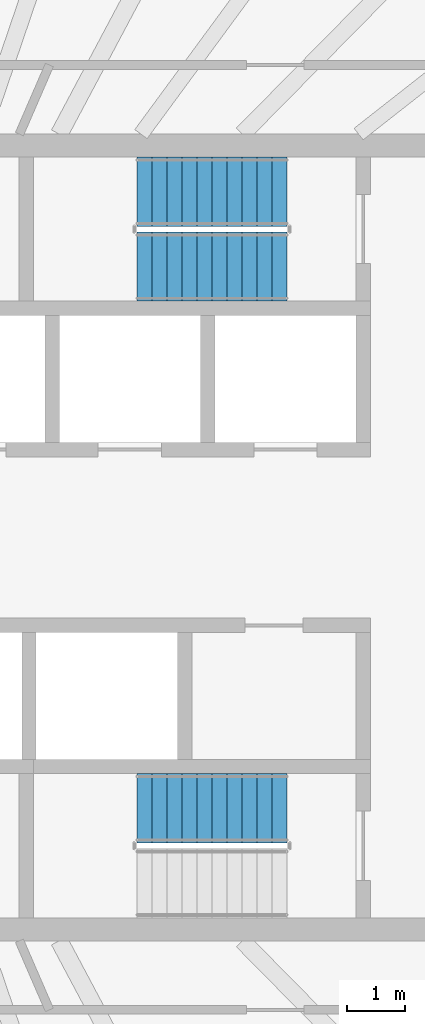
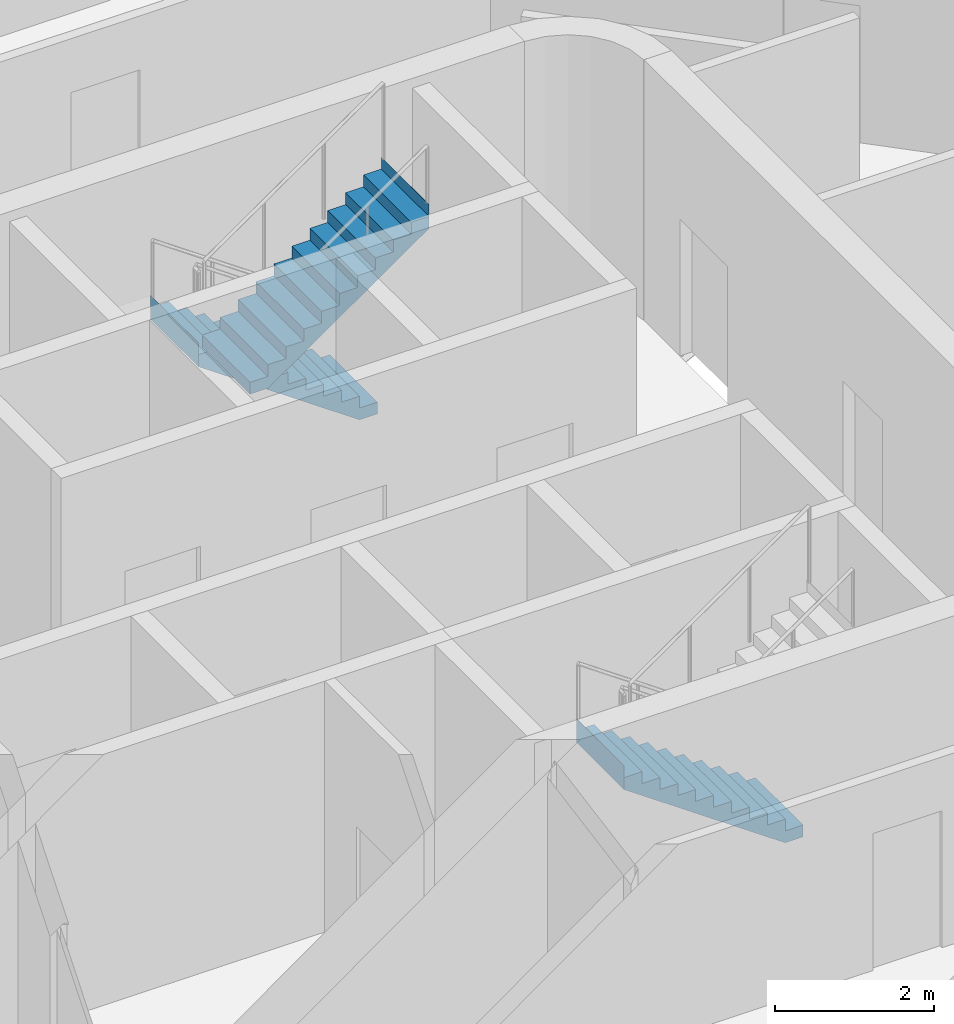
# One storey, part 13 of 18: 3 stair flights, 2 elements without a shape of their own.
"""IFC4 building model written with IfcOpenShell, lengths in metres."""

from ifc_helpers import new_model, si_unit, direction, frame, origin, place, context, subcontext, project, spatial, triangles, material, type_object, element, aggregate, save


model = new_model("IFC4")

# Units and contexts
model_context = context("Model", 3, precision=1e-05, world=origin(), true_north=direction((0.0, 1.0)))
body_context = subcontext(model_context, "Body", "Model", "MODEL_VIEW")
ifc_project = project(units=[si_unit("LENGTHUNIT", "METRE"), si_unit("AREAUNIT", "SQUARE_METRE"), si_unit("VOLUMEUNIT", "CUBIC_METRE"), si_unit("PLANEANGLEUNIT", "RADIAN"), si_unit("MASSUNIT", "GRAM", prefix="KILO")], contexts=[model_context])

# Site, building, storey
site_placement = place(None, origin())
site = spatial("IfcSite", under=ifc_project, at=site_placement, CompositionType="ELEMENT")
building_placement = place(site_placement, origin())
building = spatial("IfcBuilding", under=site, at=building_placement, Name="Sahrelin Media Tower", CompositionType="ELEMENT")
storey_placement = place(building_placement, frame((0.0, 0.0, 312.39990234375)))
storey = spatial("IfcBuildingStorey", under=building, at=storey_placement, Name="L69", CompositionType="ELEMENT", Elevation=312.39990234375)

# Stair, stair flights
ifc_material = material(Name="Concrete C40/50", Category="concrete")
stair_type = type_object("IfcStairType", Name="Exit stair 1200", PredefinedType="HALF_TURN_STAIR", material=ifc_material)
placement = place(storey_placement, origin())
stair_1 = element("IfcStair", 1, at=placement, inside=storey, type_object=stair_type, Name="L69 Exit stair ST3", PredefinedType="HALF_TURN_STAIR")
stair_flight_type = type_object("IfcStairFlightType", Name="Stair flight 1200", PredefinedType="STRAIGHT", material=ifc_material)
stair_flight_1_placement = place(storey_placement, frame((7.675048828125, 6.0, 0.0), z_axis=(0.0, 0.0, 1.0), x_axis=(-1.0, 0.0, 0.0)))
stair_flight_1 = element("IfcStairFlight", 2, at=stair_flight_1_placement, type_object=stair_flight_type, Name="ST3 flight 1", NumberOfRisers=11, NumberOfTreads=10, PredefinedType="STRAIGHT", RiserHeight=0.181818182, TreadLength=0.26, context=body_context, shape_type="Tessellation", body=[
    triangles([(0.261474609375, 0.60009765625, 0.0), (0.261474609375, 0.300048828125, 0.0), (0.261474609375, 0.0, 0.0), (0.261474609375, -0.300048828125, 0.0), (0.261474609375, -0.60009765625, 0.0), (2.60009765625, 0.60009765625, 1.63525390625), (2.60009765625, 0.300048828125, 1.63525390625), (2.60009765625, 0.0, 1.63525390625), (2.60009765625, -0.300048828125, 1.63525390625), (2.60009765625, -0.60009765625, 1.63525390625), (2.60009765625, 0.60009765625, 2.0), (2.60009765625, 0.300048828125, 2.0), (2.60009765625, 0.0, 2.0), (2.60009765625, -0.300048828125, 2.0), (2.60009765625, -0.60009765625, 2.0), (2.597900390625, 0.60009765625, 2.0), (2.597900390625, 0.300048828125, 2.0), (2.597900390625, 0.0, 2.0), (2.597900390625, -0.300048828125, 2.0), (2.597900390625, -0.60009765625, 2.0), (2.597900390625, 0.60009765625, 1.818115234375), (2.597900390625, 0.300048828125, 1.818115234375), (2.597900390625, 0.0, 1.818115234375), (2.597900390625, -0.300048828125, 1.818115234375), (2.597900390625, -0.60009765625, 1.818115234375), (2.340087890625, 0.60009765625, 1.818115234375), (2.340087890625, 0.300048828125, 1.818115234375), (2.340087890625, 0.0, 1.818115234375), (2.340087890625, -0.300048828125, 1.818115234375), (2.340087890625, -0.60009765625, 1.818115234375), (2.340087890625, 0.60009765625, 1.636474609375), (2.340087890625, 0.300048828125, 1.636474609375), (2.340087890625, 0.0, 1.636474609375), (2.340087890625, -0.300048828125, 1.636474609375), (2.340087890625, -0.60009765625, 1.636474609375), (2.080078125, 0.60009765625, 1.636474609375), (2.080078125, 0.300048828125, 1.636474609375), (2.080078125, 0.0, 1.636474609375), (2.080078125, -0.300048828125, 1.636474609375), (2.080078125, -0.60009765625, 1.636474609375), (2.080078125, 0.60009765625, 1.45458984375), (2.080078125, 0.300048828125, 1.45458984375), (2.080078125, 0.0, 1.45458984375), (2.080078125, -0.300048828125, 1.45458984375), (2.080078125, -0.60009765625, 1.45458984375), (1.820068359375, 0.60009765625, 1.45458984375), (1.820068359375, 0.300048828125, 1.45458984375), (1.820068359375, 0.0, 1.45458984375), (1.820068359375, -0.300048828125, 1.45458984375), (1.820068359375, -0.60009765625, 1.45458984375), (1.820068359375, 0.60009765625, 1.272705078125), (1.820068359375, 0.300048828125, 1.272705078125), (1.820068359375, 0.0, 1.272705078125), (1.820068359375, -0.300048828125, 1.272705078125), (1.820068359375, -0.60009765625, 1.272705078125), (1.56005859375, 0.60009765625, 1.272705078125), (1.56005859375, 0.300048828125, 1.272705078125), (1.56005859375, 0.0, 1.272705078125), (1.56005859375, -0.300048828125, 1.272705078125), (1.56005859375, -0.60009765625, 1.272705078125), (1.56005859375, 0.60009765625, 1.0908203125), (1.56005859375, 0.300048828125, 1.0908203125), (1.56005859375, 0.0, 1.0908203125), (1.56005859375, -0.300048828125, 1.0908203125), (1.56005859375, -0.60009765625, 1.0908203125), (1.300048828125, 0.60009765625, 1.0908203125), (1.300048828125, 0.300048828125, 1.0908203125), (1.300048828125, 0.0, 1.0908203125), (1.300048828125, -0.300048828125, 1.0908203125), (1.300048828125, -0.60009765625, 1.0908203125), (1.300048828125, 0.60009765625, 0.9091796875), (1.300048828125, 0.300048828125, 0.9091796875), (1.300048828125, 0.0, 0.9091796875), (1.300048828125, -0.300048828125, 0.9091796875), (1.300048828125, -0.60009765625, 0.9091796875), (1.0400390625, 0.60009765625, 0.9091796875), (1.0400390625, 0.300048828125, 0.9091796875), (1.0400390625, 0.0, 0.9091796875), (1.0400390625, -0.300048828125, 0.9091796875), (1.0400390625, -0.60009765625, 0.9091796875), (1.0400390625, 0.60009765625, 0.727294921875), (1.0400390625, 0.300048828125, 0.727294921875), (1.0400390625, 0.0, 0.727294921875), (1.0400390625, -0.300048828125, 0.727294921875), (1.0400390625, -0.60009765625, 0.727294921875), (0.780029296875, 0.60009765625, 0.727294921875), (0.780029296875, 0.300048828125, 0.727294921875), (0.780029296875, 0.0, 0.727294921875), (0.780029296875, -0.300048828125, 0.727294921875), (0.780029296875, -0.60009765625, 0.727294921875), (0.780029296875, 0.60009765625, 0.54541015625), (0.780029296875, 0.300048828125, 0.54541015625), (0.780029296875, 0.0, 0.54541015625), (0.780029296875, -0.300048828125, 0.54541015625), (0.780029296875, -0.60009765625, 0.54541015625), (0.52001953125, 0.60009765625, 0.54541015625), (0.52001953125, 0.300048828125, 0.54541015625), (0.52001953125, 0.0, 0.54541015625), (0.52001953125, -0.300048828125, 0.54541015625), (0.52001953125, -0.60009765625, 0.54541015625), (0.52001953125, 0.60009765625, 0.363525390625), (0.52001953125, 0.300048828125, 0.363525390625), (0.52001953125, 0.0, 0.363525390625), (0.52001953125, -0.300048828125, 0.363525390625), (0.52001953125, -0.60009765625, 0.363525390625), (0.260009765625, 0.60009765625, 0.363525390625), (0.260009765625, 0.300048828125, 0.363525390625), (0.260009765625, 0.0, 0.363525390625), (0.260009765625, -0.300048828125, 0.363525390625), (0.260009765625, -0.60009765625, 0.363525390625), (0.260009765625, 0.60009765625, 0.181884765625), (0.260009765625, 0.300048828125, 0.181884765625), (0.260009765625, 0.0, 0.181884765625), (0.260009765625, -0.300048828125, 0.181884765625), (0.260009765625, -0.60009765625, 0.181884765625), (0.0, 0.60009765625, 0.181884765625), (0.0, 0.300048828125, 0.181884765625), (0.0, 0.0, 0.181884765625), (0.0, -0.300048828125, 0.181884765625), (0.0, -0.60009765625, 0.181884765625), (0.0, 0.60009765625, 0.0), (0.0, 0.300048828125, 0.0), (0.0, 0.0, 0.0), (0.0, -0.300048828125, 0.0), (0.0, -0.60009765625, 0.0)], [[1, 6, 7], [1, 7, 2], [2, 7, 8], [2, 8, 3], [3, 8, 9], [3, 9, 4], [4, 9, 10], [4, 10, 5], [6, 11, 12], [6, 12, 7], [7, 12, 13], [7, 13, 8], [8, 13, 14], [8, 14, 9], [9, 14, 15], [9, 15, 10], [11, 16, 17], [11, 17, 12], [12, 17, 18], [12, 18, 13], [13, 18, 19], [13, 19, 14], [14, 19, 20], [14, 20, 15], [16, 21, 22], [16, 22, 17], [17, 22, 23], [17, 23, 18], [18, 23, 24], [18, 24, 19], [19, 24, 25], [19, 25, 20], [21, 26, 27], [21, 27, 22], [22, 27, 28], [22, 28, 23], [23, 28, 29], [23, 29, 24], [24, 29, 30], [24, 30, 25], [26, 31, 32], [26, 32, 27], [27, 32, 33], [27, 33, 28], [28, 33, 34], [28, 34, 29], [29, 34, 35], [29, 35, 30], [31, 36, 37], [31, 37, 32], [32, 37, 38], [32, 38, 33], [33, 38, 39], [33, 39, 34], [34, 39, 40], [34, 40, 35], [36, 41, 42], [36, 42, 37], [37, 42, 43], [37, 43, 38], [38, 43, 44], [38, 44, 39], [39, 44, 45], [39, 45, 40], [41, 46, 47], [41, 47, 42], [42, 47, 48], [42, 48, 43], [43, 48, 49], [43, 49, 44], [44, 49, 50], [44, 50, 45], [46, 51, 52], [46, 52, 47], [47, 52, 53], [47, 53, 48], [48, 53, 54], [48, 54, 49], [49, 54, 55], [49, 55, 50], [51, 56, 57], [51, 57, 52], [52, 57, 58], [52, 58, 53], [53, 58, 59], [53, 59, 54], [54, 59, 60], [54, 60, 55], [56, 61, 62], [56, 62, 57], [57, 62, 63], [57, 63, 58], [58, 63, 64], [58, 64, 59], [59, 64, 65], [59, 65, 60], [61, 66, 67], [61, 67, 62], [62, 67, 68], [62, 68, 63], [63, 68, 69], [63, 69, 64], [64, 69, 70], [64, 70, 65], [66, 71, 72], [66, 72, 67], [67, 72, 73], [67, 73, 68], [68, 73, 74], [68, 74, 69], [69, 74, 75], [69, 75, 70], [71, 76, 77], [71, 77, 72], [72, 77, 78], [72, 78, 73], [73, 78, 79], [73, 79, 74], [74, 79, 80], [74, 80, 75], [76, 81, 82], [76, 82, 77], [77, 82, 83], [77, 83, 78], [78, 83, 84], [78, 84, 79], [79, 84, 85], [79, 85, 80], [81, 86, 87], [81, 87, 82], [82, 87, 88], [82, 88, 83], [83, 88, 89], [83, 89, 84], [84, 89, 90], [84, 90, 85], [86, 91, 92], [86, 92, 87], [87, 92, 93], [87, 93, 88], [88, 93, 94], [88, 94, 89], [89, 94, 95], [89, 95, 90], [91, 96, 97], [91, 97, 92], [92, 97, 98], [92, 98, 93], [93, 98, 99], [93, 99, 94], [94, 99, 100], [94, 100, 95], [96, 101, 102], [96, 102, 97], [97, 102, 103], [97, 103, 98], [98, 103, 104], [98, 104, 99], [99, 104, 105], [99, 105, 100], [101, 106, 107], [101, 107, 102], [102, 107, 108], [102, 108, 103], [103, 108, 109], [103, 109, 104], [104, 109, 110], [104, 110, 105], [106, 111, 112], [106, 112, 107], [107, 112, 113], [107, 113, 108], [108, 113, 114], [108, 114, 109], [109, 114, 115], [109, 115, 110], [111, 116, 117], [111, 117, 112], [112, 117, 118], [112, 118, 113], [113, 118, 119], [113, 119, 114], [114, 119, 120], [114, 120, 115], [116, 121, 122], [116, 122, 117], [117, 122, 123], [117, 123, 118], [118, 123, 124], [118, 124, 119], [119, 124, 125], [119, 125, 120], [121, 1, 2], [121, 2, 122], [122, 2, 3], [122, 3, 123], [123, 3, 4], [123, 4, 124], [124, 4, 5], [124, 5, 125], [115, 120, 125], [111, 121, 116], [115, 105, 110], [111, 106, 101], [105, 95, 100], [101, 96, 91], [95, 85, 90], [91, 86, 81], [85, 75, 80], [81, 76, 71], [75, 65, 70], [71, 66, 61], [65, 55, 60], [61, 56, 51], [55, 45, 50], [51, 46, 41], [45, 35, 40], [41, 36, 31], [35, 25, 30], [31, 26, 21], [25, 15, 20], [21, 16, 11], [125, 5, 115], [121, 111, 1], [25, 10, 15], [21, 11, 6], [105, 115, 5], [101, 1, 111], [35, 10, 25], [31, 21, 6], [95, 105, 5], [91, 1, 101], [45, 10, 35], [41, 31, 6], [85, 95, 5], [81, 1, 91], [55, 10, 45], [51, 41, 6], [75, 85, 5], [71, 1, 81], [65, 10, 55], [61, 51, 6], [5, 10, 75], [1, 71, 6], [75, 10, 65], [71, 61, 6]], closed=True),
])
stair_flight_2_placement = place(storey_placement, frame((5.074951171875, 4.699951171875, 2.0), z_axis=(0.0, 0.0, 1.0), x_axis=(1.0, 0.0, 0.0)))
stair_flight_2 = element("IfcStairFlight", 3, at=stair_flight_2_placement, type_object=stair_flight_type, Name="ST3 flight 2", NumberOfRisers=11, NumberOfTreads=10, PredefinedType="STRAIGHT", RiserHeight=0.181818182, TreadLength=0.26, context=body_context, shape_type="Tessellation", body=[
    triangles([(0.261474609375, 0.60009765625, 0.0), (0.261474609375, 0.300048828125, 0.0), (0.261474609375, 0.0, 0.0), (0.261474609375, -0.300048828125, 0.0), (0.261474609375, -0.60009765625, 0.0), (2.60009765625, 0.60009765625, 1.63525390625), (2.60009765625, 0.300048828125, 1.63525390625), (2.60009765625, 0.0, 1.63525390625), (2.60009765625, -0.300048828125, 1.63525390625), (2.60009765625, -0.60009765625, 1.63525390625), (2.60009765625, 0.60009765625, 2.0), (2.60009765625, 0.300048828125, 2.0), (2.60009765625, 0.0, 2.0), (2.60009765625, -0.300048828125, 2.0), (2.60009765625, -0.60009765625, 2.0), (2.597900390625, 0.60009765625, 2.0), (2.597900390625, 0.300048828125, 2.0), (2.597900390625, 0.0, 2.0), (2.597900390625, -0.300048828125, 2.0), (2.597900390625, -0.60009765625, 2.0), (2.597900390625, 0.60009765625, 1.818115234375), (2.597900390625, 0.300048828125, 1.818115234375), (2.597900390625, 0.0, 1.818115234375), (2.597900390625, -0.300048828125, 1.818115234375), (2.597900390625, -0.60009765625, 1.818115234375), (2.340087890625, 0.60009765625, 1.818115234375), (2.340087890625, 0.300048828125, 1.818115234375), (2.340087890625, 0.0, 1.818115234375), (2.340087890625, -0.300048828125, 1.818115234375), (2.340087890625, -0.60009765625, 1.818115234375), (2.340087890625, 0.60009765625, 1.636474609375), (2.340087890625, 0.300048828125, 1.636474609375), (2.340087890625, 0.0, 1.636474609375), (2.340087890625, -0.300048828125, 1.636474609375), (2.340087890625, -0.60009765625, 1.636474609375), (2.080078125, 0.60009765625, 1.636474609375), (2.080078125, 0.300048828125, 1.636474609375), (2.080078125, 0.0, 1.636474609375), (2.080078125, -0.300048828125, 1.636474609375), (2.080078125, -0.60009765625, 1.636474609375), (2.080078125, 0.60009765625, 1.45458984375), (2.080078125, 0.300048828125, 1.45458984375), (2.080078125, 0.0, 1.45458984375), (2.080078125, -0.300048828125, 1.45458984375), (2.080078125, -0.60009765625, 1.45458984375), (1.820068359375, 0.60009765625, 1.45458984375), (1.820068359375, 0.300048828125, 1.45458984375), (1.820068359375, 0.0, 1.45458984375), (1.820068359375, -0.300048828125, 1.45458984375), (1.820068359375, -0.60009765625, 1.45458984375), (1.820068359375, 0.60009765625, 1.272705078125), (1.820068359375, 0.300048828125, 1.272705078125), (1.820068359375, 0.0, 1.272705078125), (1.820068359375, -0.300048828125, 1.272705078125), (1.820068359375, -0.60009765625, 1.272705078125), (1.56005859375, 0.60009765625, 1.272705078125), (1.56005859375, 0.300048828125, 1.272705078125), (1.56005859375, 0.0, 1.272705078125), (1.56005859375, -0.300048828125, 1.272705078125), (1.56005859375, -0.60009765625, 1.272705078125), (1.56005859375, 0.60009765625, 1.0908203125), (1.56005859375, 0.300048828125, 1.0908203125), (1.56005859375, 0.0, 1.0908203125), (1.56005859375, -0.300048828125, 1.0908203125), (1.56005859375, -0.60009765625, 1.0908203125), (1.300048828125, 0.60009765625, 1.0908203125), (1.300048828125, 0.300048828125, 1.0908203125), (1.300048828125, 0.0, 1.0908203125), (1.300048828125, -0.300048828125, 1.0908203125), (1.300048828125, -0.60009765625, 1.0908203125), (1.300048828125, 0.60009765625, 0.9091796875), (1.300048828125, 0.300048828125, 0.9091796875), (1.300048828125, 0.0, 0.9091796875), (1.300048828125, -0.300048828125, 0.9091796875), (1.300048828125, -0.60009765625, 0.9091796875), (1.0400390625, 0.60009765625, 0.9091796875), (1.0400390625, 0.300048828125, 0.9091796875), (1.0400390625, 0.0, 0.9091796875), (1.0400390625, -0.300048828125, 0.9091796875), (1.0400390625, -0.60009765625, 0.9091796875), (1.0400390625, 0.60009765625, 0.727294921875), (1.0400390625, 0.300048828125, 0.727294921875), (1.0400390625, 0.0, 0.727294921875), (1.0400390625, -0.300048828125, 0.727294921875), (1.0400390625, -0.60009765625, 0.727294921875), (0.780029296875, 0.60009765625, 0.727294921875), (0.780029296875, 0.300048828125, 0.727294921875), (0.780029296875, 0.0, 0.727294921875), (0.780029296875, -0.300048828125, 0.727294921875), (0.780029296875, -0.60009765625, 0.727294921875), (0.780029296875, 0.60009765625, 0.54541015625), (0.780029296875, 0.300048828125, 0.54541015625), (0.780029296875, 0.0, 0.54541015625), (0.780029296875, -0.300048828125, 0.54541015625), (0.780029296875, -0.60009765625, 0.54541015625), (0.52001953125, 0.60009765625, 0.54541015625), (0.52001953125, 0.300048828125, 0.54541015625), (0.52001953125, 0.0, 0.54541015625), (0.52001953125, -0.300048828125, 0.54541015625), (0.52001953125, -0.60009765625, 0.54541015625), (0.52001953125, 0.60009765625, 0.363525390625), (0.52001953125, 0.300048828125, 0.363525390625), (0.52001953125, 0.0, 0.363525390625), (0.52001953125, -0.300048828125, 0.363525390625), (0.52001953125, -0.60009765625, 0.363525390625), (0.260009765625, 0.60009765625, 0.363525390625), (0.260009765625, 0.300048828125, 0.363525390625), (0.260009765625, 0.0, 0.363525390625), (0.260009765625, -0.300048828125, 0.363525390625), (0.260009765625, -0.60009765625, 0.363525390625), (0.260009765625, 0.60009765625, 0.181884765625), (0.260009765625, 0.300048828125, 0.181884765625), (0.260009765625, 0.0, 0.181884765625), (0.260009765625, -0.300048828125, 0.181884765625), (0.260009765625, -0.60009765625, 0.181884765625), (0.0, 0.60009765625, 0.181884765625), (0.0, 0.300048828125, 0.181884765625), (0.0, 0.0, 0.181884765625), (0.0, -0.300048828125, 0.181884765625), (0.0, -0.60009765625, 0.181884765625), (0.0, 0.60009765625, 0.0), (0.0, 0.300048828125, 0.0), (0.0, 0.0, 0.0), (0.0, -0.300048828125, 0.0), (0.0, -0.60009765625, 0.0)], [[1, 6, 7], [1, 7, 2], [2, 7, 8], [2, 8, 3], [3, 8, 9], [3, 9, 4], [4, 9, 10], [4, 10, 5], [6, 11, 12], [6, 12, 7], [7, 12, 13], [7, 13, 8], [8, 13, 14], [8, 14, 9], [9, 14, 15], [9, 15, 10], [11, 16, 17], [11, 17, 12], [12, 17, 18], [12, 18, 13], [13, 18, 19], [13, 19, 14], [14, 19, 20], [14, 20, 15], [16, 21, 22], [16, 22, 17], [17, 22, 23], [17, 23, 18], [18, 23, 24], [18, 24, 19], [19, 24, 25], [19, 25, 20], [21, 26, 27], [21, 27, 22], [22, 27, 28], [22, 28, 23], [23, 28, 29], [23, 29, 24], [24, 29, 30], [24, 30, 25], [26, 31, 32], [26, 32, 27], [27, 32, 33], [27, 33, 28], [28, 33, 34], [28, 34, 29], [29, 34, 35], [29, 35, 30], [31, 36, 37], [31, 37, 32], [32, 37, 38], [32, 38, 33], [33, 38, 39], [33, 39, 34], [34, 39, 40], [34, 40, 35], [36, 41, 42], [36, 42, 37], [37, 42, 43], [37, 43, 38], [38, 43, 44], [38, 44, 39], [39, 44, 45], [39, 45, 40], [41, 46, 47], [41, 47, 42], [42, 47, 48], [42, 48, 43], [43, 48, 49], [43, 49, 44], [44, 49, 50], [44, 50, 45], [46, 51, 52], [46, 52, 47], [47, 52, 53], [47, 53, 48], [48, 53, 54], [48, 54, 49], [49, 54, 55], [49, 55, 50], [51, 56, 57], [51, 57, 52], [52, 57, 58], [52, 58, 53], [53, 58, 59], [53, 59, 54], [54, 59, 60], [54, 60, 55], [56, 61, 62], [56, 62, 57], [57, 62, 63], [57, 63, 58], [58, 63, 64], [58, 64, 59], [59, 64, 65], [59, 65, 60], [61, 66, 67], [61, 67, 62], [62, 67, 68], [62, 68, 63], [63, 68, 69], [63, 69, 64], [64, 69, 70], [64, 70, 65], [66, 71, 72], [66, 72, 67], [67, 72, 73], [67, 73, 68], [68, 73, 74], [68, 74, 69], [69, 74, 75], [69, 75, 70], [71, 76, 77], [71, 77, 72], [72, 77, 78], [72, 78, 73], [73, 78, 79], [73, 79, 74], [74, 79, 80], [74, 80, 75], [76, 81, 82], [76, 82, 77], [77, 82, 83], [77, 83, 78], [78, 83, 84], [78, 84, 79], [79, 84, 85], [79, 85, 80], [81, 86, 87], [81, 87, 82], [82, 87, 88], [82, 88, 83], [83, 88, 89], [83, 89, 84], [84, 89, 90], [84, 90, 85], [86, 91, 92], [86, 92, 87], [87, 92, 93], [87, 93, 88], [88, 93, 94], [88, 94, 89], [89, 94, 95], [89, 95, 90], [91, 96, 97], [91, 97, 92], [92, 97, 98], [92, 98, 93], [93, 98, 99], [93, 99, 94], [94, 99, 100], [94, 100, 95], [96, 101, 102], [96, 102, 97], [97, 102, 103], [97, 103, 98], [98, 103, 104], [98, 104, 99], [99, 104, 105], [99, 105, 100], [101, 106, 107], [101, 107, 102], [102, 107, 108], [102, 108, 103], [103, 108, 109], [103, 109, 104], [104, 109, 110], [104, 110, 105], [106, 111, 112], [106, 112, 107], [107, 112, 113], [107, 113, 108], [108, 113, 114], [108, 114, 109], [109, 114, 115], [109, 115, 110], [111, 116, 117], [111, 117, 112], [112, 117, 118], [112, 118, 113], [113, 118, 119], [113, 119, 114], [114, 119, 120], [114, 120, 115], [116, 121, 122], [116, 122, 117], [117, 122, 123], [117, 123, 118], [118, 123, 124], [118, 124, 119], [119, 124, 125], [119, 125, 120], [121, 1, 2], [121, 2, 122], [122, 2, 3], [122, 3, 123], [123, 3, 4], [123, 4, 124], [124, 4, 5], [124, 5, 125], [115, 120, 125], [111, 121, 116], [115, 105, 110], [111, 106, 101], [105, 95, 100], [101, 96, 91], [95, 85, 90], [91, 86, 81], [85, 75, 80], [81, 76, 71], [75, 65, 70], [71, 66, 61], [65, 55, 60], [61, 56, 51], [55, 45, 50], [51, 46, 41], [45, 35, 40], [41, 36, 31], [35, 25, 30], [31, 26, 21], [25, 15, 20], [21, 16, 11], [125, 5, 115], [121, 111, 1], [25, 10, 15], [21, 11, 6], [105, 115, 5], [101, 1, 111], [35, 10, 25], [31, 21, 6], [95, 105, 5], [91, 1, 101], [45, 10, 35], [41, 31, 6], [85, 95, 5], [81, 1, 91], [55, 10, 45], [51, 41, 6], [75, 85, 5], [71, 1, 81], [65, 10, 55], [61, 51, 6], [5, 10, 75], [1, 71, 6], [75, 10, 65], [71, 61, 6]], closed=True),
])
aggregate(stair_1, [stair_flight_1, stair_flight_2])

# Stair, stair flight
stair_2 = element("IfcStair", 4, at=placement, inside=storey, type_object=stair_type, Name="L69 Exit stair ST2", PredefinedType="HALF_TURN_STAIR")
stair_flight_3_placement = place(storey_placement, frame((7.675048828125, -4.699951171875, 0.0), z_axis=(0.0, 0.0, 1.0), x_axis=(-1.0, 0.0, 0.0)))
stair_flight_3 = element("IfcStairFlight", 5, at=stair_flight_3_placement, type_object=stair_flight_type, Name="ST2 flight 1", NumberOfRisers=11, NumberOfTreads=10, PredefinedType="STRAIGHT", RiserHeight=0.181818182, TreadLength=0.26, context=body_context, shape_type="Tessellation", body=[
    triangles([(0.261474609375, 0.60009765625, 0.0), (0.261474609375, 0.300048828125, 0.0), (0.261474609375, 0.0, 0.0), (0.261474609375, -0.300048828125, 0.0), (0.261474609375, -0.60009765625, 0.0), (2.60009765625, 0.60009765625, 1.63525390625), (2.60009765625, 0.300048828125, 1.63525390625), (2.60009765625, 0.0, 1.63525390625), (2.60009765625, -0.300048828125, 1.63525390625), (2.60009765625, -0.60009765625, 1.63525390625), (2.60009765625, 0.60009765625, 2.0), (2.60009765625, 0.300048828125, 2.0), (2.60009765625, 0.0, 2.0), (2.60009765625, -0.300048828125, 2.0), (2.60009765625, -0.60009765625, 2.0), (2.597900390625, 0.60009765625, 2.0), (2.597900390625, 0.300048828125, 2.0), (2.597900390625, 0.0, 2.0), (2.597900390625, -0.300048828125, 2.0), (2.597900390625, -0.60009765625, 2.0), (2.597900390625, 0.60009765625, 1.818115234375), (2.597900390625, 0.300048828125, 1.818115234375), (2.597900390625, 0.0, 1.818115234375), (2.597900390625, -0.300048828125, 1.818115234375), (2.597900390625, -0.60009765625, 1.818115234375), (2.340087890625, 0.60009765625, 1.818115234375), (2.340087890625, 0.300048828125, 1.818115234375), (2.340087890625, 0.0, 1.818115234375), (2.340087890625, -0.300048828125, 1.818115234375), (2.340087890625, -0.60009765625, 1.818115234375), (2.340087890625, 0.60009765625, 1.636474609375), (2.340087890625, 0.300048828125, 1.636474609375), (2.340087890625, 0.0, 1.636474609375), (2.340087890625, -0.300048828125, 1.636474609375), (2.340087890625, -0.60009765625, 1.636474609375), (2.080078125, 0.60009765625, 1.636474609375), (2.080078125, 0.300048828125, 1.636474609375), (2.080078125, 0.0, 1.636474609375), (2.080078125, -0.300048828125, 1.636474609375), (2.080078125, -0.60009765625, 1.636474609375), (2.080078125, 0.60009765625, 1.45458984375), (2.080078125, 0.300048828125, 1.45458984375), (2.080078125, 0.0, 1.45458984375), (2.080078125, -0.300048828125, 1.45458984375), (2.080078125, -0.60009765625, 1.45458984375), (1.820068359375, 0.60009765625, 1.45458984375), (1.820068359375, 0.300048828125, 1.45458984375), (1.820068359375, 0.0, 1.45458984375), (1.820068359375, -0.300048828125, 1.45458984375), (1.820068359375, -0.60009765625, 1.45458984375), (1.820068359375, 0.60009765625, 1.272705078125), (1.820068359375, 0.300048828125, 1.272705078125), (1.820068359375, 0.0, 1.272705078125), (1.820068359375, -0.300048828125, 1.272705078125), (1.820068359375, -0.60009765625, 1.272705078125), (1.56005859375, 0.60009765625, 1.272705078125), (1.56005859375, 0.300048828125, 1.272705078125), (1.56005859375, 0.0, 1.272705078125), (1.56005859375, -0.300048828125, 1.272705078125), (1.56005859375, -0.60009765625, 1.272705078125), (1.56005859375, 0.60009765625, 1.0908203125), (1.56005859375, 0.300048828125, 1.0908203125), (1.56005859375, 0.0, 1.0908203125), (1.56005859375, -0.300048828125, 1.0908203125), (1.56005859375, -0.60009765625, 1.0908203125), (1.300048828125, 0.60009765625, 1.0908203125), (1.300048828125, 0.300048828125, 1.0908203125), (1.300048828125, 0.0, 1.0908203125), (1.300048828125, -0.300048828125, 1.0908203125), (1.300048828125, -0.60009765625, 1.0908203125), (1.300048828125, 0.60009765625, 0.9091796875), (1.300048828125, 0.300048828125, 0.9091796875), (1.300048828125, 0.0, 0.9091796875), (1.300048828125, -0.300048828125, 0.9091796875), (1.300048828125, -0.60009765625, 0.9091796875), (1.0400390625, 0.60009765625, 0.9091796875), (1.0400390625, 0.300048828125, 0.9091796875), (1.0400390625, 0.0, 0.9091796875), (1.0400390625, -0.300048828125, 0.9091796875), (1.0400390625, -0.60009765625, 0.9091796875), (1.0400390625, 0.60009765625, 0.727294921875), (1.0400390625, 0.300048828125, 0.727294921875), (1.0400390625, 0.0, 0.727294921875), (1.0400390625, -0.300048828125, 0.727294921875), (1.0400390625, -0.60009765625, 0.727294921875), (0.780029296875, 0.60009765625, 0.727294921875), (0.780029296875, 0.300048828125, 0.727294921875), (0.780029296875, 0.0, 0.727294921875), (0.780029296875, -0.300048828125, 0.727294921875), (0.780029296875, -0.60009765625, 0.727294921875), (0.780029296875, 0.60009765625, 0.54541015625), (0.780029296875, 0.300048828125, 0.54541015625), (0.780029296875, 0.0, 0.54541015625), (0.780029296875, -0.300048828125, 0.54541015625), (0.780029296875, -0.60009765625, 0.54541015625), (0.52001953125, 0.60009765625, 0.54541015625), (0.52001953125, 0.300048828125, 0.54541015625), (0.52001953125, 0.0, 0.54541015625), (0.52001953125, -0.300048828125, 0.54541015625), (0.52001953125, -0.60009765625, 0.54541015625), (0.52001953125, 0.60009765625, 0.363525390625), (0.52001953125, 0.300048828125, 0.363525390625), (0.52001953125, 0.0, 0.363525390625), (0.52001953125, -0.300048828125, 0.363525390625), (0.52001953125, -0.60009765625, 0.363525390625), (0.260009765625, 0.60009765625, 0.363525390625), (0.260009765625, 0.300048828125, 0.363525390625), (0.260009765625, 0.0, 0.363525390625), (0.260009765625, -0.300048828125, 0.363525390625), (0.260009765625, -0.60009765625, 0.363525390625), (0.260009765625, 0.60009765625, 0.181884765625), (0.260009765625, 0.300048828125, 0.181884765625), (0.260009765625, 0.0, 0.181884765625), (0.260009765625, -0.300048828125, 0.181884765625), (0.260009765625, -0.60009765625, 0.181884765625), (0.0, 0.60009765625, 0.181884765625), (0.0, 0.300048828125, 0.181884765625), (0.0, 0.0, 0.181884765625), (0.0, -0.300048828125, 0.181884765625), (0.0, -0.60009765625, 0.181884765625), (0.0, 0.60009765625, 0.0), (0.0, 0.300048828125, 0.0), (0.0, 0.0, 0.0), (0.0, -0.300048828125, 0.0), (0.0, -0.60009765625, 0.0)], [[1, 6, 7], [1, 7, 2], [2, 7, 8], [2, 8, 3], [3, 8, 9], [3, 9, 4], [4, 9, 10], [4, 10, 5], [6, 11, 12], [6, 12, 7], [7, 12, 13], [7, 13, 8], [8, 13, 14], [8, 14, 9], [9, 14, 15], [9, 15, 10], [11, 16, 17], [11, 17, 12], [12, 17, 18], [12, 18, 13], [13, 18, 19], [13, 19, 14], [14, 19, 20], [14, 20, 15], [16, 21, 22], [16, 22, 17], [17, 22, 23], [17, 23, 18], [18, 23, 24], [18, 24, 19], [19, 24, 25], [19, 25, 20], [21, 26, 27], [21, 27, 22], [22, 27, 28], [22, 28, 23], [23, 28, 29], [23, 29, 24], [24, 29, 30], [24, 30, 25], [26, 31, 32], [26, 32, 27], [27, 32, 33], [27, 33, 28], [28, 33, 34], [28, 34, 29], [29, 34, 35], [29, 35, 30], [31, 36, 37], [31, 37, 32], [32, 37, 38], [32, 38, 33], [33, 38, 39], [33, 39, 34], [34, 39, 40], [34, 40, 35], [36, 41, 42], [36, 42, 37], [37, 42, 43], [37, 43, 38], [38, 43, 44], [38, 44, 39], [39, 44, 45], [39, 45, 40], [41, 46, 47], [41, 47, 42], [42, 47, 48], [42, 48, 43], [43, 48, 49], [43, 49, 44], [44, 49, 50], [44, 50, 45], [46, 51, 52], [46, 52, 47], [47, 52, 53], [47, 53, 48], [48, 53, 54], [48, 54, 49], [49, 54, 55], [49, 55, 50], [51, 56, 57], [51, 57, 52], [52, 57, 58], [52, 58, 53], [53, 58, 59], [53, 59, 54], [54, 59, 60], [54, 60, 55], [56, 61, 62], [56, 62, 57], [57, 62, 63], [57, 63, 58], [58, 63, 64], [58, 64, 59], [59, 64, 65], [59, 65, 60], [61, 66, 67], [61, 67, 62], [62, 67, 68], [62, 68, 63], [63, 68, 69], [63, 69, 64], [64, 69, 70], [64, 70, 65], [66, 71, 72], [66, 72, 67], [67, 72, 73], [67, 73, 68], [68, 73, 74], [68, 74, 69], [69, 74, 75], [69, 75, 70], [71, 76, 77], [71, 77, 72], [72, 77, 78], [72, 78, 73], [73, 78, 79], [73, 79, 74], [74, 79, 80], [74, 80, 75], [76, 81, 82], [76, 82, 77], [77, 82, 83], [77, 83, 78], [78, 83, 84], [78, 84, 79], [79, 84, 85], [79, 85, 80], [81, 86, 87], [81, 87, 82], [82, 87, 88], [82, 88, 83], [83, 88, 89], [83, 89, 84], [84, 89, 90], [84, 90, 85], [86, 91, 92], [86, 92, 87], [87, 92, 93], [87, 93, 88], [88, 93, 94], [88, 94, 89], [89, 94, 95], [89, 95, 90], [91, 96, 97], [91, 97, 92], [92, 97, 98], [92, 98, 93], [93, 98, 99], [93, 99, 94], [94, 99, 100], [94, 100, 95], [96, 101, 102], [96, 102, 97], [97, 102, 103], [97, 103, 98], [98, 103, 104], [98, 104, 99], [99, 104, 105], [99, 105, 100], [101, 106, 107], [101, 107, 102], [102, 107, 108], [102, 108, 103], [103, 108, 109], [103, 109, 104], [104, 109, 110], [104, 110, 105], [106, 111, 112], [106, 112, 107], [107, 112, 113], [107, 113, 108], [108, 113, 114], [108, 114, 109], [109, 114, 115], [109, 115, 110], [111, 116, 117], [111, 117, 112], [112, 117, 118], [112, 118, 113], [113, 118, 119], [113, 119, 114], [114, 119, 120], [114, 120, 115], [116, 121, 122], [116, 122, 117], [117, 122, 123], [117, 123, 118], [118, 123, 124], [118, 124, 119], [119, 124, 125], [119, 125, 120], [121, 1, 2], [121, 2, 122], [122, 2, 3], [122, 3, 123], [123, 3, 4], [123, 4, 124], [124, 4, 5], [124, 5, 125], [115, 120, 125], [111, 121, 116], [115, 105, 110], [111, 106, 101], [105, 95, 100], [101, 96, 91], [95, 85, 90], [91, 86, 81], [85, 75, 80], [81, 76, 71], [75, 65, 70], [71, 66, 61], [65, 55, 60], [61, 56, 51], [55, 45, 50], [51, 46, 41], [45, 35, 40], [41, 36, 31], [35, 25, 30], [31, 26, 21], [25, 15, 20], [21, 16, 11], [125, 5, 115], [121, 111, 1], [25, 10, 15], [21, 11, 6], [105, 115, 5], [101, 1, 111], [35, 10, 25], [31, 21, 6], [95, 105, 5], [91, 1, 101], [45, 10, 35], [41, 31, 6], [85, 95, 5], [81, 1, 91], [55, 10, 45], [51, 41, 6], [75, 85, 5], [71, 1, 81], [65, 10, 55], [61, 51, 6], [5, 10, 75], [1, 71, 6], [75, 10, 65], [71, 61, 6]], closed=True),
])
aggregate(stair_2, [stair_flight_3])

save(model, "model.ifc")
